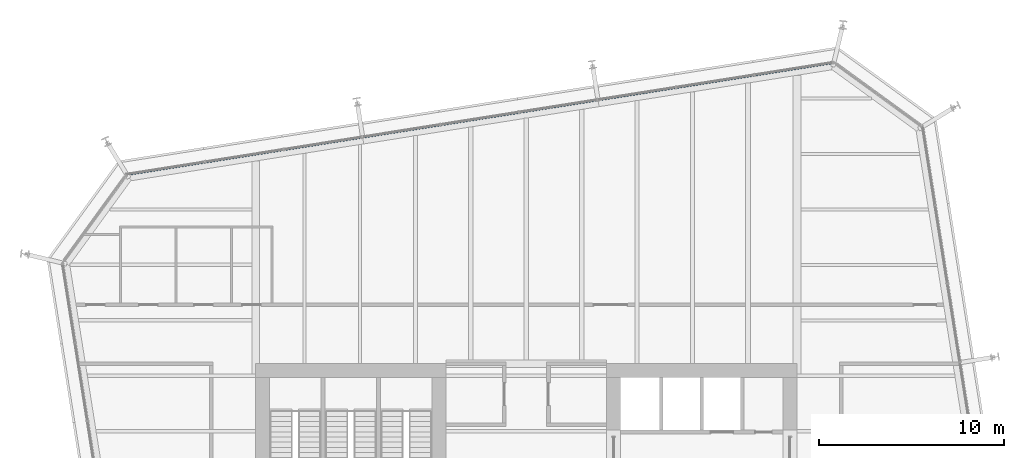
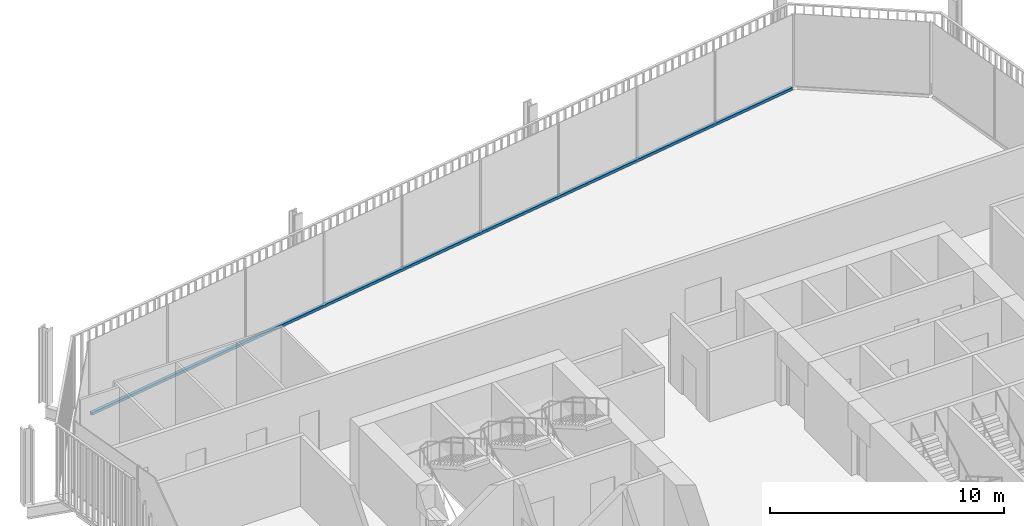
# One storey, part 12 of 21: 1 member, 1 element without a shape of its own.
"""IFC4 building model written with IfcOpenShell, lengths in metres."""

from ifc_helpers import new_model, si_unit, direction, frame, origin, origin_2d, place, context, subcontext, project, spatial, rectangle, extrude, material, layer, layer_set, material_profile, profile_set, type_object, element, aggregate, save


model = new_model("IFC4")

# Units and contexts
model_context = context("Model", 3, precision=1e-05, world=origin(), true_north=direction((0.0, 1.0)))
body_context = subcontext(model_context, "Body", "Model", "MODEL_VIEW")
ifc_project = project(units=[si_unit("LENGTHUNIT", "METRE"), si_unit("AREAUNIT", "SQUARE_METRE"), si_unit("VOLUMEUNIT", "CUBIC_METRE"), si_unit("PLANEANGLEUNIT", "RADIAN"), si_unit("MASSUNIT", "GRAM", prefix="KILO")], contexts=[model_context])

# Site, building, storey
site_placement = place(None, origin())
site = spatial("IfcSite", under=ifc_project, at=site_placement, CompositionType="ELEMENT")
building_placement = place(site_placement, origin())
building = spatial("IfcBuilding", under=site, at=building_placement, Name="Millrace Tower", CompositionType="ELEMENT")
storey_placement = place(building_placement, frame((0.0, 0.0, 191.699951171875)))
storey = spatial("IfcBuildingStorey", under=building, at=storey_placement, Name="L43", CompositionType="ELEMENT", Elevation=191.699951171875)

# Curtain wall, member
ifc_material_1 = material(Name="Aluminium and glass", Category="aluminium")
ifc_layer = layer(ifc_material_1, 0.14990234375)
ifc_layer_set = layer_set([ifc_layer], Name="Aluminium and glass")
curtain_wall_type = type_object("IfcCurtainWallType", Name="CW-1 office vision curtain wall", PredefinedType="NOTDEFINED", material=ifc_layer_set)
curtain_wall_placement = place(storey_placement, origin())
curtain_wall = element("IfcCurtainWall", 1, at=curtain_wall_placement, inside=storey, type_object=curtain_wall_type, Name="Curtain wall C-F06 L43", PredefinedType="NOTDEFINED")
ifc_material_2 = material(Name="Aluminium", Category="aluminium")
ifc_material_profile = material_profile(ifc_material_2, rectangle(XDim=0.14990234375, YDim=0.139892578125, at=origin_2d()))
ifc_profile_set = profile_set([ifc_material_profile], Name="Aluminium")
member_type = type_object("IfcMemberType", Name="CW-1 office vision curtain wall transom", PredefinedType="USERDEFINED", material=ifc_profile_set)
member_placement = place(storey_placement, frame((16.525146484375, 25.946044921875, 0.070068359375), z_axis=(-0.987688505691, -0.156433422663, 0.0), x_axis=(0.156433422663, -0.987688505691, 0.0)))
member = element("IfcMember", 2, at=member_placement, type_object=member_type, Name="CW1 transom C-F06.1", ObjectType="TRANSOM", PredefinedType="USERDEFINED", context=body_context, shape_type="SweptSolid", body=[
    extrude(rectangle(XDim=0.14990234375, YDim=0.139892578125, at=origin_2d()), origin(), (0.0, 0.0, 1.0), 38.5),
])
aggregate(curtain_wall, [member])

save(model, "model.ifc")
